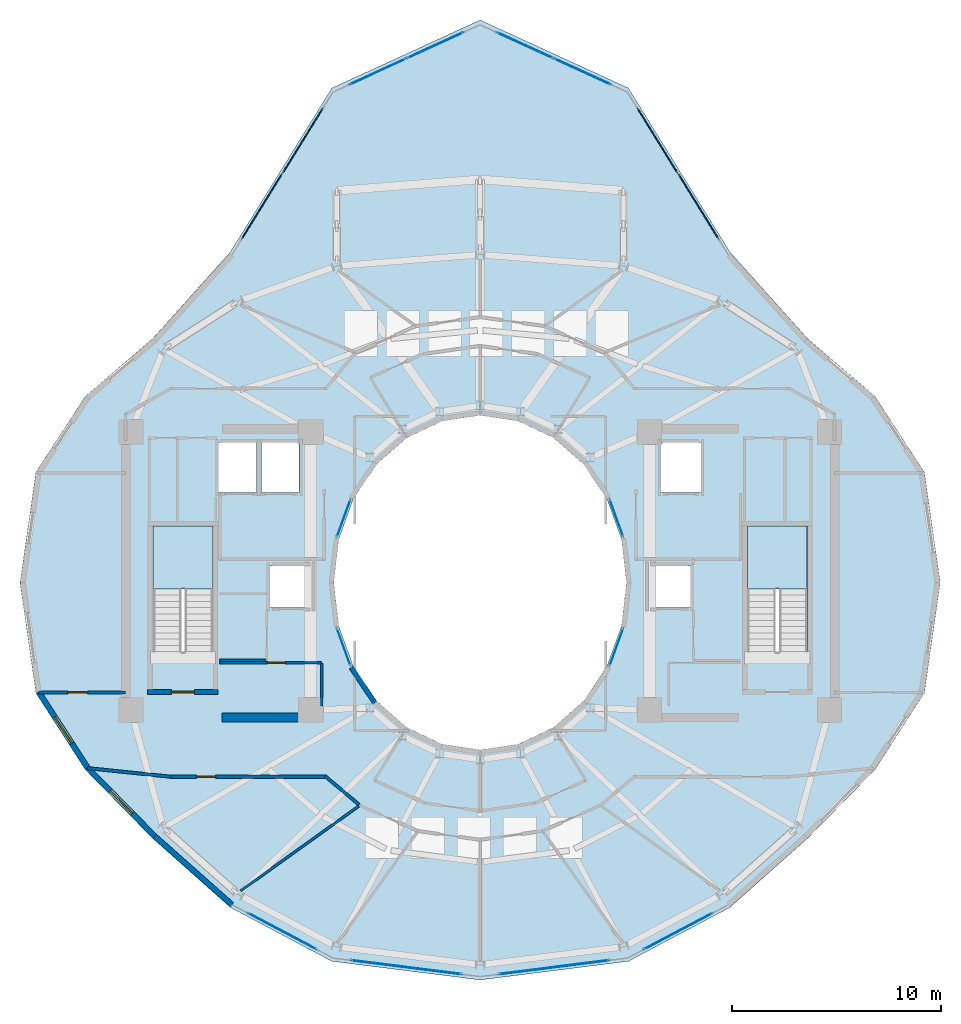
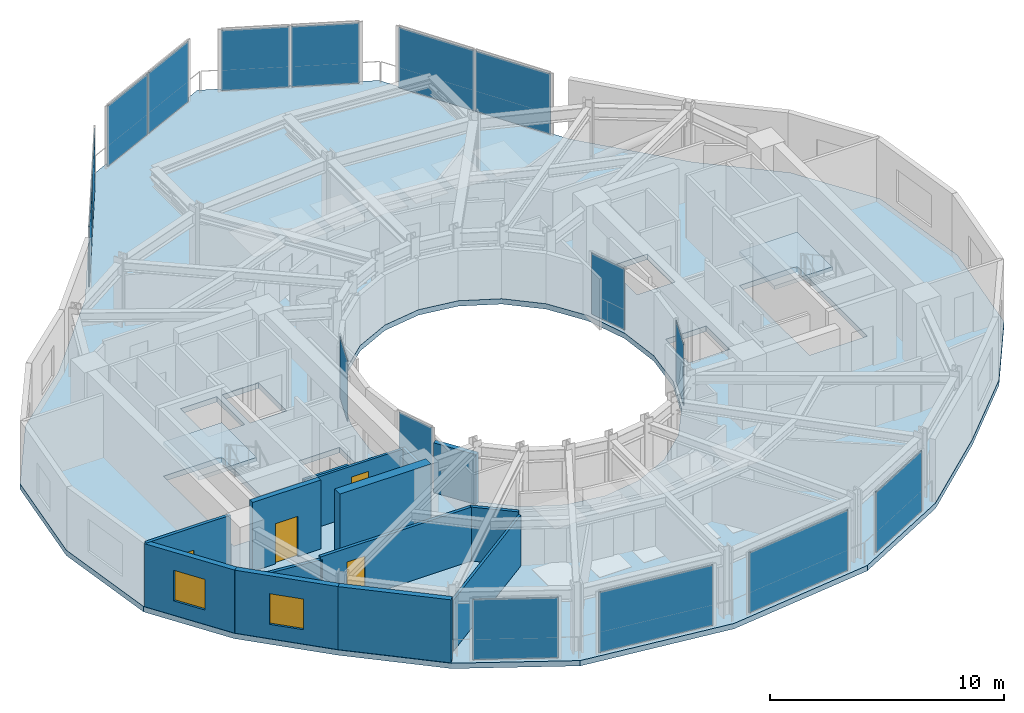
# One storey, part 17 of 24: 16 plates, 14 walls, 4 doors, 3 slabs, 2 windows, 6 openings, 14 elements without a shape of their own.
"""IFC4 building model written with IfcOpenShell, lengths in metres."""

from ifc_helpers import new_model, si_unit, direction, frame, frame_2d, origin, origin_2d, place, context, subcontext, project, spatial, polyline, rectangle, outline, extrude, material, layer, layer_set, type_object, element, fill, aggregate, save


model = new_model("IFC4")

# Units and contexts
model_context = context("Model", 3, precision=1e-05, world=origin(), true_north=direction((0.0, 1.0)))
body_context = subcontext(model_context, "Body", "Model", "MODEL_VIEW")
ifc_project = project(units=[si_unit("LENGTHUNIT", "METRE"), si_unit("AREAUNIT", "SQUARE_METRE"), si_unit("VOLUMEUNIT", "CUBIC_METRE"), si_unit("PLANEANGLEUNIT", "RADIAN"), si_unit("MASSUNIT", "GRAM", prefix="KILO")], contexts=[model_context])

# Site, building, storey
site_placement = place(None, origin())
site = spatial("IfcSite", under=ifc_project, at=site_placement, CompositionType="ELEMENT")
building_placement = place(site_placement, origin())
building = spatial("IfcBuilding", under=site, at=building_placement, Name="Solvane Sanctuary Tower", CompositionType="ELEMENT")
storey_placement = place(building_placement, frame((0.0, 0.0, 246.0)))
storey = spatial("IfcBuildingStorey", under=building, at=storey_placement, Name="L75", CompositionType="ELEMENT", Elevation=246.0)

# Curtain wall, plates
ifc_material_1 = material(Name="Anodised Aluminium 6063-T6", Category="aluminium")
ifc_layer_1 = layer(ifc_material_1, 0.18994140625, Name="Anodised Aluminium 6063-T6")
ifc_layer_set_1 = layer_set([ifc_layer_1], Name="Anodised Aluminium 6063-T6")
curtain_wall_type_1 = type_object("IfcCurtainWallType", Name="Curtain Wall CW-OPER", PredefinedType="NOTDEFINED", material=ifc_layer_set_1)
curtain_wall_1_placement = place(storey_placement, origin())
curtain_wall_1 = element("IfcCurtainWall", 1, at=curtain_wall_1_placement, inside=storey, type_object=curtain_wall_type_1, Name="L75 CW-OPER Facade Run 04", PredefinedType="NOTDEFINED")
ifc_material_2 = material(Name="Dark Ceramic-Fritted Low-E Glass", Category="glass")
ifc_layer_2 = layer(ifc_material_2, 0.0419921875, Name="Dark Ceramic-Fritted Low-E Glass")
ifc_layer_set_2 = layer_set([ifc_layer_2], Name="Dark Ceramic-Fritted Low-E Glass")
plate_type_1 = type_object("IfcPlateType", Name="Plate PN-OPER-VENT", PredefinedType="CURTAIN_PANEL", material=ifc_layer_set_2)
plate_1_placement = place(storey_placement, frame((42.437255859375, 40.978515625, 0.06494140625), z_axis=(0.0, 0.0, 1.0), x_axis=(-0.527391688453, 0.849622273102, 0.0)))
plate_1 = element("IfcPlate", 2, at=plate_1_placement, type_object=plate_type_1, Name="CW-OPER panel 1.1", PredefinedType="CURTAIN_PANEL", context=body_context, shape_type="SweptSolid", body=[
    extrude(rectangle(XDim=3.643798828125, YDim=0.0419921875, at=origin_2d()), origin(), (0.0, 0.0, 1.0), 3.14990234375),
])
plate_2_placement = place(storey_placement, frame((40.475830078125, 44.137939453125, 0.06494140625), z_axis=(0.0, 0.0, 1.0), x_axis=(-0.527391688453, 0.849622273102, 0.0)))
plate_2 = element("IfcPlate", 3, at=plate_2_placement, type_object=plate_type_1, Name="CW-OPER panel 2.1", PredefinedType="CURTAIN_PANEL", context=body_context, shape_type="SweptSolid", body=[
    extrude(rectangle(XDim=3.643798828125, YDim=0.0419921875, at=origin_2d()), origin(), (0.0, 0.0, 1.0), 3.14990234375),
])
aggregate(curtain_wall_1, [plate_1, plate_2])

curtain_wall_2_placement = place(storey_placement, origin())
curtain_wall_2 = element("IfcCurtainWall", 4, at=curtain_wall_2_placement, inside=storey, type_object=curtain_wall_type_1, Name="L75 CW-OPER Facade Run 05", PredefinedType="NOTDEFINED")
plate_3_placement = place(storey_placement, frame((36.892333984375, 47.430908203125, 0.06494140625), z_axis=(0.0, 0.0, 1.0), x_axis=(-0.909261677661, 0.416224941032, 0.0)))
plate_3 = element("IfcPlate", 5, at=plate_3_placement, type_object=plate_type_1, Name="CW-OPER panel 1.1", PredefinedType="CURTAIN_PANEL", context=body_context, shape_type="SweptSolid", body=[
    extrude(rectangle(XDim=2.9404296875, YDim=0.0419921875, at=origin_2d()), origin(), (0.0, 0.0, 1.0), 3.14990234375),
])
plate_4_placement = place(storey_placement, frame((34.150634765625, 48.68603515625, 0.06494140625), z_axis=(0.0, 0.0, 1.0), x_axis=(-0.909261677661, 0.416224941032, 0.0)))
plate_4 = element("IfcPlate", 6, at=plate_4_placement, type_object=plate_type_1, Name="CW-OPER panel 2.1", PredefinedType="CURTAIN_PANEL", context=body_context, shape_type="SweptSolid", body=[
    extrude(rectangle(XDim=2.9404296875, YDim=0.0419921875, at=origin_2d()), origin(), (0.0, 0.0, 1.0), 3.14990234375),
])
aggregate(curtain_wall_2, [plate_3, plate_4])

curtain_wall_3_placement = place(storey_placement, origin())
curtain_wall_3 = element("IfcCurtainWall", 7, at=curtain_wall_3_placement, inside=storey, type_object=curtain_wall_type_1, Name="L75 CW-OPER Facade Run 06", PredefinedType="NOTDEFINED")
plate_5_placement = place(storey_placement, frame((29.849365234375, 48.68603515625, 0.06494140625), z_axis=(0.0, 0.0, 1.0), x_axis=(-0.909261677661, -0.416224941032, 0.0)))
plate_5 = element("IfcPlate", 8, at=plate_5_placement, type_object=plate_type_1, Name="CW-OPER panel 1.1", PredefinedType="CURTAIN_PANEL", context=body_context, shape_type="SweptSolid", body=[
    extrude(rectangle(XDim=2.9404296875, YDim=0.0419921875, at=origin_2d()), origin(), (0.0, 0.0, 1.0), 3.14990234375),
])
plate_6_placement = place(storey_placement, frame((27.107666015625, 47.430908203125, 0.06494140625), z_axis=(0.0, 0.0, 1.0), x_axis=(-0.909261677661, -0.416224941032, 0.0)))
plate_6 = element("IfcPlate", 9, at=plate_6_placement, type_object=plate_type_1, Name="CW-OPER panel 2.1", PredefinedType="CURTAIN_PANEL", context=body_context, shape_type="SweptSolid", body=[
    extrude(rectangle(XDim=2.9404296875, YDim=0.0419921875, at=origin_2d()), origin(), (0.0, 0.0, 1.0), 3.14990234375),
])
aggregate(curtain_wall_3, [plate_5, plate_6])

curtain_wall_4_placement = place(storey_placement, origin())
curtain_wall_4 = element("IfcCurtainWall", 10, at=curtain_wall_4_placement, inside=storey, type_object=curtain_wall_type_1, Name="L75 CW-OPER Facade Run 07", PredefinedType="NOTDEFINED")
plate_7_placement = place(storey_placement, frame((23.524169921875, 44.137939453125, 0.06494140625), z_axis=(0.0, 0.0, 1.0), x_axis=(-0.527391688453, -0.849622273102, 0.0)))
plate_7 = element("IfcPlate", 11, at=plate_7_placement, type_object=plate_type_1, Name="CW-OPER panel 1.1", PredefinedType="CURTAIN_PANEL", context=body_context, shape_type="SweptSolid", body=[
    extrude(rectangle(XDim=3.643798828125, YDim=0.0419921875, at=origin_2d()), origin(), (0.0, 0.0, 1.0), 3.14990234375),
])
plate_8_placement = place(storey_placement, frame((21.562744140625, 40.978515625, 0.06494140625), z_axis=(0.0, 0.0, 1.0), x_axis=(-0.527391688453, -0.849622273102, 0.0)))
plate_8 = element("IfcPlate", 12, at=plate_8_placement, type_object=plate_type_1, Name="CW-OPER panel 2.1", PredefinedType="CURTAIN_PANEL", context=body_context, shape_type="SweptSolid", body=[
    extrude(rectangle(XDim=3.643798828125, YDim=0.0419921875, at=origin_2d()), origin(), (0.0, 0.0, 1.0), 3.14990234375),
])
aggregate(curtain_wall_4, [plate_7, plate_8])

# Curtain wall, plate
curtain_wall_5_placement = place(storey_placement, origin())
curtain_wall_5 = element("IfcCurtainWall", 13, at=curtain_wall_5_placement, inside=storey, type_object=curtain_wall_type_1, Name="L75 CW-OPER Facade Run 16", PredefinedType="NOTDEFINED")
plate_9_placement = place(storey_placement, frame((22.54345703125, 6.324462890625, 0.06494140625), z_axis=(0.0, 0.0, 1.0), x_axis=(0.883980752049, -0.467523293544, 0.0)))
plate_9 = element("IfcPlate", 14, at=plate_9_placement, type_object=plate_type_1, Name="CW-OPER panel 1.1", PredefinedType="CURTAIN_PANEL", context=body_context, shape_type="SweptSolid", body=[
    extrude(rectangle(XDim=3.670654296875, YDim=0.0419921875, at=origin_2d()), origin(), (0.0, 0.0, 1.0), 3.14990234375),
])
aggregate(curtain_wall_5, [plate_9])

curtain_wall_6_placement = place(storey_placement, origin())
curtain_wall_6 = element("IfcCurtainWall", 15, at=curtain_wall_6_placement, inside=storey, type_object=curtain_wall_type_1, Name="L75 CW-OPER Facade Run 17", PredefinedType="NOTDEFINED")
plate_10_placement = place(storey_placement, frame((28.478515625, 4.605224609375, 0.06494140625), z_axis=(0.0, 0.0, 1.0), x_axis=(0.992180050716, -0.124814850727, 0.0)))
plate_10 = element("IfcPlate", 16, at=plate_10_placement, type_object=plate_type_1, Name="CW-OPER panel 1.1", PredefinedType="CURTAIN_PANEL", context=body_context, shape_type="SweptSolid", body=[
    extrude(rectangle(XDim=5.30859375, YDim=0.0419921875, at=origin_2d()), origin(), (0.0, 0.0, 1.0), 3.14990234375),
])
aggregate(curtain_wall_6, [plate_10])

curtain_wall_7_placement = place(storey_placement, origin())
curtain_wall_7 = element("IfcCurtainWall", 17, at=curtain_wall_7_placement, inside=storey, type_object=curtain_wall_type_1, Name="L75 CW-OPER Facade Run 18", PredefinedType="NOTDEFINED")
plate_11_placement = place(storey_placement, frame((35.521484375, 4.605224609375, 0.06494140625), z_axis=(0.0, 0.0, 1.0), x_axis=(0.992180050716, 0.124814850727, 0.0)))
plate_11 = element("IfcPlate", 18, at=plate_11_placement, type_object=plate_type_1, Name="CW-OPER panel 1.1", PredefinedType="CURTAIN_PANEL", context=body_context, shape_type="SweptSolid", body=[
    extrude(rectangle(XDim=5.30859375, YDim=0.0419921875, at=origin_2d()), origin(), (0.0, 0.0, 1.0), 3.14990234375),
])
aggregate(curtain_wall_7, [plate_11])

curtain_wall_8_placement = place(storey_placement, origin())
curtain_wall_8 = element("IfcCurtainWall", 19, at=curtain_wall_8_placement, inside=storey, type_object=curtain_wall_type_1, Name="L75 CW-OPER Facade Run 19", PredefinedType="NOTDEFINED")
plate_12_placement = place(storey_placement, frame((41.45654296875, 6.324462890625, 0.06494140625), z_axis=(0.0, 0.0, 1.0), x_axis=(0.883980752049, 0.467523293544, 0.0)))
plate_12 = element("IfcPlate", 20, at=plate_12_placement, type_object=plate_type_1, Name="CW-OPER panel 1.1", PredefinedType="CURTAIN_PANEL", context=body_context, shape_type="SweptSolid", body=[
    extrude(rectangle(XDim=3.670654296875, YDim=0.0419921875, at=origin_2d()), origin(), (0.0, 0.0, 1.0), 3.14990234375),
])
aggregate(curtain_wall_8, [plate_12])

ifc_layer_3 = layer(ifc_material_1, 0.199951171875, Name="Anodised Aluminium 6063-T6")
ifc_layer_set_3 = layer_set([ifc_layer_3], Name="Anodised Aluminium 6063-T6")
curtain_wall_type_2 = type_object("IfcCurtainWallType", Name="Curtain Wall CW-WELL", PredefinedType="NOTDEFINED", material=ifc_layer_set_3)
curtain_wall_9_placement = place(storey_placement, origin())
curtain_wall_9 = element("IfcCurtainWall", 21, at=curtain_wall_9_placement, inside=storey, type_object=curtain_wall_type_2, Name="L75 Light-Well Glazed Curtain Wall 01", PredefinedType="NOTDEFINED")
ifc_material_3 = material(Name="Clear Laminated Light-Well Glass", Category="glass")
ifc_layer_4 = layer(ifc_material_3, 0.02392578125, Name="Clear Laminated Light-Well Glass")
ifc_layer_set_4 = layer_set([ifc_layer_4], Name="Clear Laminated Light-Well Glass")
plate_type_2 = type_object("IfcPlateType", Name="Plate PN-WELL-GLZ", PredefinedType="CURTAIN_PANEL", material=ifc_layer_set_4)
plate_13_placement = place(storey_placement, frame((38.521728515625, 26.080810546875, 0.06494140625), z_axis=(0.0, 0.0, 1.0), x_axis=(-0.341358483781, 0.939933181429, 0.0)))
plate_13 = element("IfcPlate", 22, at=plate_13_placement, type_object=plate_type_2, Name="CW-WELL panel 1.1", PredefinedType="CURTAIN_PANEL", context=body_context, shape_type="SweptSolid", body=[
    extrude(rectangle(XDim=1.853515625, YDim=0.02392578125, at=origin_2d()), origin(), (0.0, 0.0, 1.0), 3.18994140625),
])
aggregate(curtain_wall_9, [plate_13])

curtain_wall_10_placement = place(storey_placement, origin())
curtain_wall_10 = element("IfcCurtainWall", 23, at=curtain_wall_10_placement, inside=storey, type_object=curtain_wall_type_2, Name="L75 Light-Well Glazed Curtain Wall 10", PredefinedType="NOTDEFINED")
plate_14_placement = place(storey_placement, frame((25.478271484375, 26.080810546875, 0.06494140625), z_axis=(0.0, 0.0, 1.0), x_axis=(-0.341358483781, -0.939933181429, 0.0)))
plate_14 = element("IfcPlate", 24, at=plate_14_placement, type_object=plate_type_2, Name="CW-WELL panel 1.1", PredefinedType="CURTAIN_PANEL", context=body_context, shape_type="SweptSolid", body=[
    extrude(rectangle(XDim=1.853515625, YDim=0.02392578125, at=origin_2d()), origin(), (0.0, 0.0, 1.0), 3.18994140625),
])
aggregate(curtain_wall_10, [plate_14])

curtain_wall_11_placement = place(storey_placement, origin())
curtain_wall_11 = element("IfcCurtainWall", 25, at=curtain_wall_11_placement, inside=storey, type_object=curtain_wall_type_2, Name="L75 Light-Well Glazed Curtain Wall 13", PredefinedType="NOTDEFINED")
plate_15_placement = place(storey_placement, frame((25.478271484375, 19.919189453125, 0.06494140625), z_axis=(0.0, 0.0, 1.0), x_axis=(0.341358483781, -0.939933181429, 0.0)))
plate_15 = element("IfcPlate", 26, at=plate_15_placement, type_object=plate_type_2, Name="CW-WELL panel 1.1", PredefinedType="CURTAIN_PANEL", context=body_context, shape_type="SweptSolid", body=[
    extrude(rectangle(XDim=1.853515625, YDim=0.02392578125, at=origin_2d()), origin(), (0.0, 0.0, 1.0), 3.18994140625),
])
aggregate(curtain_wall_11, [plate_15])

curtain_wall_12_placement = place(storey_placement, origin())
curtain_wall_12 = element("IfcCurtainWall", 27, at=curtain_wall_12_placement, inside=storey, type_object=curtain_wall_type_2, Name="L75 Light-Well Glazed Curtain Wall 22", PredefinedType="NOTDEFINED")
plate_16_placement = place(storey_placement, frame((38.521728515625, 19.919189453125, 0.06494140625), z_axis=(0.0, 0.0, 1.0), x_axis=(0.341358483781, 0.939933181429, 0.0)))
plate_16 = element("IfcPlate", 28, at=plate_16_placement, type_object=plate_type_2, Name="CW-WELL panel 1.1", PredefinedType="CURTAIN_PANEL", context=body_context, shape_type="SweptSolid", body=[
    extrude(rectangle(XDim=1.853515625, YDim=0.02392578125, at=origin_2d()), origin(), (0.0, 0.0, 1.0), 3.18994140625),
])
aggregate(curtain_wall_12, [plate_16])

# Slab
ifc_material_4 = material(Name="Concrete C50/60", Category="concrete")
ifc_layer_5 = layer(ifc_material_4, 0.280029296875, Name="Concrete C50/60")
ifc_layer_set_5 = layer_set([ifc_layer_5], Name="Concrete C50/60")
slab_type_1 = type_object("IfcSlabType", Name="Slab SL-CANT-280", PredefinedType="FLOOR", material=ifc_layer_set_5)
slab_1_placement = place(storey_placement, frame((0.0, 0.0, -0.280029296875)))
element("IfcSlab", 29, at=slab_1_placement, inside=storey, type_object=slab_type_1, Name="L75 Primary Structural Slab", PredefinedType="FLOOR", context=body_context, shape_type="SweptSolid", body=[
    extrude(outline(polyline([(54.0, 23.0), (53.239990234375, 28.283935546875), (50.881103515625, 31.9052734375), (47.6572265625, 34.671875), (43.946044921875, 38.804931640625), (39.088134765625, 46.648193359375), (32.0, 49.89990234375), (24.911865234375, 46.648193359375), (20.053955078125, 38.804931640625), (16.3427734375, 34.671875), (13.118896484375, 31.9052734375), (10.760009765625, 28.283935546875), (10.0, 23.0), (10.760009765625, 17.716064453125), (13.118896484375, 14.056884765625), (16.3427734375, 10.7666015625), (20.053955078125, 7.46826171875), (24.911865234375, 4.8935546875), (32.0, 4.0), (39.088134765625, 4.8935546875), (43.946044921875, 7.46826171875), (47.6572265625, 10.7666015625), (50.881103515625, 14.056884765625), (53.239990234375, 17.716064453125), (54.0, 23.0)]), holes=[polyline([(38.761474609375, 20.929443359375), (38.062255859375, 19.0), (36.94970703125, 17.343017578125), (35.5, 16.07177734375), (33.811767578125, 15.272705078125), (32.0, 15.0), (30.188232421875, 15.272705078125), (28.5, 16.07177734375), (27.05029296875, 17.343017578125), (25.937744140625, 19.0), (25.238525390625, 20.929443359375), (25.0, 23.0), (25.238525390625, 25.070556640625), (25.937744140625, 27.0), (27.05029296875, 28.656982421875), (28.5, 29.92822265625), (30.188232421875, 30.727294921875), (32.0, 31.0), (33.811767578125, 30.727294921875), (35.5, 29.92822265625), (36.94970703125, 28.656982421875), (38.062255859375, 27.0), (38.761474609375, 25.070556640625), (39.0, 23.0), (38.761474609375, 20.929443359375)]), polyline([(16.360107421875, 19.699951171875), (16.360107421875, 25.699951171875), (19.219970703125, 25.699951171875), (19.219970703125, 19.699951171875), (16.360107421875, 19.699951171875)]), polyline([(44.780029296875, 19.699951171875), (44.780029296875, 25.699951171875), (47.639892578125, 25.699951171875), (47.639892578125, 19.699951171875), (44.780029296875, 19.699951171875)]), polyline([(21.949951171875, 23.800048828125), (23.949951171875, 23.800048828125), (23.949951171875, 21.800048828125), (21.949951171875, 21.800048828125), (21.949951171875, 23.800048828125)]), polyline([(40.050048828125, 23.800048828125), (42.050048828125, 23.800048828125), (42.050048828125, 21.800048828125), (40.050048828125, 21.800048828125), (40.050048828125, 23.800048828125)]), polyline([(19.5, 29.699951171875), (21.300048828125, 29.699951171875), (21.300048828125, 27.300048828125), (19.5, 27.300048828125), (19.5, 29.699951171875)]), polyline([(21.550048828125, 29.699951171875), (23.35009765625, 29.699951171875), (23.35009765625, 27.300048828125), (21.550048828125, 27.300048828125), (21.550048828125, 29.699951171875)]), polyline([(40.64990234375, 29.699951171875), (42.550048828125, 29.699951171875), (42.550048828125, 27.300048828125), (40.64990234375, 27.300048828125), (40.64990234375, 29.699951171875)])]), origin(), (0.0, 0.0, 1.0), 0.280029296875),
])

# Stair, slab
ifc_material_5 = material(Name="Concrete C45/55", Category="concrete")
stair_type = type_object("IfcStairType", Name="Stair ST-TOW", PredefinedType="HALF_TURN_STAIR", material=ifc_material_5)
stair_1_placement = place(storey_placement, origin())
stair_1 = element("IfcStair", 30, at=stair_1_placement, inside=storey, type_object=stair_type, Name="L75 Exit Stair ST-1 West Core", PredefinedType="HALF_TURN_STAIR")
ifc_layer_6 = layer(ifc_material_5, 0.199951171875, Name="Concrete C45/55")
ifc_layer_set_6 = layer_set([ifc_layer_6], Name="Concrete C45/55")
slab_type_2 = type_object("IfcSlabType", Name="Slab SL-LAND-180", PredefinedType="LANDING", material=ifc_layer_set_6)
slab_2_placement = place(storey_placement, frame((0.0, 0.0, 1.60009765625)))
slab_2 = element("IfcSlab", 31, at=slab_2_placement, type_object=slab_type_2, Name="ST-1 landing 1", PredefinedType="LANDING", context=body_context, shape_type="SweptSolid", body=[
    extrude(outline(polyline([(19.219970703125, 22.699951171875), (19.219970703125, 25.699951171875), (16.360107421875, 25.699951171875), (16.360107421875, 22.699951171875), (19.219970703125, 22.699951171875)])), origin(), (0.0, 0.0, 1.0), 0.199951171875),
])
aggregate(stair_1, [slab_2])

stair_2_placement = place(storey_placement, origin())
stair_2 = element("IfcStair", 32, at=stair_2_placement, inside=storey, type_object=stair_type, Name="L75 Exit Stair ST-2 East Core", PredefinedType="HALF_TURN_STAIR")
slab_3_placement = place(storey_placement, frame((0.0, 0.0, 1.60009765625)))
slab_3 = element("IfcSlab", 33, at=slab_3_placement, type_object=slab_type_2, Name="ST-2 landing 1", PredefinedType="LANDING", context=body_context, shape_type="SweptSolid", body=[
    extrude(outline(polyline([(47.639892578125, 22.699951171875), (47.639892578125, 25.699951171875), (44.780029296875, 25.699951171875), (44.780029296875, 22.699951171875), (47.639892578125, 22.699951171875)])), origin(), (0.0, 0.0, 1.0), 0.199951171875),
])
aggregate(stair_2, [slab_3])

# Wall
ifc_layer_7 = layer(ifc_material_4, 0.449951171875, Name="Concrete C50/60")
ifc_layer_set_7 = layer_set([ifc_layer_7], Name="Concrete C50/60")
wall_type_1 = type_object("IfcWallType", Name="Wall W-CORE-450", PredefinedType="SHEAR", material=ifc_layer_set_7)
wall_1_placement = place(storey_placement, frame((19.64990234375, 16.550048828125, 0.0), z_axis=(0.0, 0.0, 1.0), x_axis=(1.0, 0.0, 0.0)))
element("IfcWall", 34, at=wall_1_placement, inside=storey, type_object=wall_type_1, Name="L75 Core Shear Wall WC-S", PredefinedType="SHEAR", context=body_context, shape_type="SweptSolid", body=[
    extrude(rectangle(XDim=4.5, YDim=0.449951171875, at=frame_2d((2.25, 0.0))), origin(), (0.0, 0.0, 1.0), 3.60009765625),
])

# Wall, opening, door
ifc_material_6 = material(Name="Acoustic Gypsum Partition Board")
ifc_layer_8 = layer(ifc_material_6, 0.14990234375, Name="Acoustic Gypsum Partition Board")
ifc_layer_set_8 = layer_set([ifc_layer_8], Name="Acoustic Gypsum Partition Board")
wall_type_2 = type_object("IfcWallType", Name="Wall W-CORR-150", PredefinedType="PARTITIONING", material=ifc_layer_set_8)
wall_2_placement = place(storey_placement, frame((10.87548828125, 17.754638671875, 0.0), z_axis=(0.0, 0.0, 1.0), x_axis=(1.0, 0.0, 0.0)))
wall_2 = element("IfcWall", 35, at=wall_2_placement, inside=storey, type_object=wall_type_2, Name="L75 West Shoulder South Wall", PredefinedType="PARTITIONING", context=body_context, shape_type="SweptSolid", body=[
    extrude(rectangle(XDim=4.174560546875, YDim=0.14990234375, at=frame_2d((2.08740234375, 0.0))), origin(), (0.0, 0.0, 1.0), 3.294921875),
])
opening_1_placement = place(wall_2_placement, frame((1.407470703125, 0.0, 0.0)))
opening_1 = element("IfcOpeningElement", 36, at=opening_1_placement, cuts=wall_2, Name="Opening D-L75-18", PredefinedType="OPENING", context=body_context, shape_type="SweptSolid", body=[
    extrude(rectangle(XDim=0.949951171875, YDim=2.10009765625, at=frame_2d((0.47509765625, 1.050048828125))), frame((0.0, 0.0849609375, 0.0), z_axis=(0.0, -1.0, 0.0), x_axis=(1.0, 0.0, 0.0)), (0.0, 0.0, 1.0), 0.169921875),
])
ifc_material_7 = material(Name="Engineered Tropical Hardwood", Category="wood")
door_type_1 = type_object("IfcDoorType", Name="Door D-ROOM-950", OperationType="NOTDEFINED", PredefinedType="DOOR", material=ifc_material_7)
door_1_placement = place(opening_1_placement, origin())
door_1 = element("IfcDoor", 37, at=door_1_placement, inside=storey, type_object=door_type_1, Name="L75 West Shoulder South Door", OperationType="SINGLE_SWING_LEFT", OverallHeight=2.10009765625, OverallWidth=0.949951171875, PredefinedType="DOOR", context=body_context, shape_type="SweptSolid", body=[
    extrude(rectangle(XDim=0.949951171875, YDim=2.10009765625, at=frame_2d((0.47509765625, 1.050048828125))), frame((0.0, 0.02490234375, 0.0), z_axis=(0.0, -1.0, 0.0), x_axis=(1.0, 0.0, 0.0)), (0.0, 0.0, 1.0), 0.050048828125),
])
fill(opening_1, door_1)

# Wall
wall_3_placement = place(storey_placement, frame((26.208984375, 12.385009765625, 0.0), z_axis=(0.0, 0.0, 1.0), x_axis=(-0.765677451641, 0.643224719711, 0.0)))
element("IfcWall", 38, at=wall_3_placement, inside=storey, type_object=wall_type_2, Name="L75 SW Corner Throat Wall", PredefinedType="PARTITIONING", context=body_context, shape_type="SweptSolid", body=[
    extrude(rectangle(XDim=2.10546875, YDim=0.14990234375, at=frame_2d((1.052734375, 0.0))), origin(), (0.0, 0.0, 1.0), 2.81591796875),
])

# Wall, opening, door
wall_4_placement = place(storey_placement, frame((17.14990234375, 13.719970703125, 0.0), z_axis=(0.0, 0.0, 1.0), x_axis=(1.0, 0.0, 0.0)))
wall_4 = element("IfcWall", 39, at=wall_4_placement, inside=storey, type_object=wall_type_2, Name="L75 SW Corner Corridor Wall", PredefinedType="PARTITIONING", context=body_context, shape_type="SweptSolid", body=[
    extrude(rectangle(XDim=7.52001953125, YDim=0.14990234375, at=frame_2d((3.760009765625, 0.0))), origin(), (0.0, 0.0, 1.0), 2.81591796875),
])
opening_2_placement = place(wall_4_placement, frame((1.300048828125, 0.0, 0.0)))
opening_2 = element("IfcOpeningElement", 40, at=opening_2_placement, cuts=wall_4, Name="Opening D-L75-21", PredefinedType="OPENING", context=body_context, shape_type="SweptSolid", body=[
    extrude(rectangle(XDim=0.89990234375, YDim=2.10009765625, at=frame_2d((0.449951171875, 1.050048828125))), frame((0.0, 0.0849609375, 0.0), z_axis=(0.0, -1.0, 0.0), x_axis=(1.0, 0.0, 0.0)), (0.0, 0.0, 1.0), 0.169921875),
])
door_type_2 = type_object("IfcDoorType", Name="Door D-WET-900", OperationType="NOTDEFINED", PredefinedType="DOOR", material=ifc_material_7)
door_2_placement = place(opening_2_placement, origin())
door_2 = element("IfcDoor", 41, at=door_2_placement, inside=storey, type_object=door_type_2, Name="L75 SW Corner Salon Door", OperationType="SINGLE_SWING_RIGHT", OverallHeight=2.10009765625, OverallWidth=0.89990234375, PredefinedType="DOOR", context=body_context, shape_type="SweptSolid", body=[
    extrude(rectangle(XDim=0.89990234375, YDim=2.10009765625, at=frame_2d((0.449951171875, 1.050048828125))), frame((0.0, 0.02490234375, 0.0), z_axis=(0.0, -1.0, 0.0), x_axis=(1.0, 0.0, 0.0)), (0.0, 0.0, 1.0), 0.050048828125),
])
fill(opening_2, door_2)

# Wall
wall_5_placement = place(storey_placement, frame((17.249755859375, 13.71484375, 0.0), z_axis=(0.0, 0.0, 1.0), x_axis=(-0.994734711466, 0.102483431859, 0.0)))
element("IfcWall", 42, at=wall_5_placement, inside=storey, type_object=wall_type_2, Name="L75 SW Corner Wing Wall", PredefinedType="PARTITIONING", context=body_context, shape_type="SweptSolid", body=[
    extrude(rectangle(XDim=4.04736328125, YDim=0.14990234375, at=frame_2d((2.023681640625, 0.0))), origin(), (0.0, 0.0, 1.0), 2.659912109375),
])

# Wall, opening, window
ifc_material_8 = material(Name="Precast concrete C40/50", Category="concrete")
ifc_layer_9 = layer(ifc_material_8, 0.260009765625, Name="Precast concrete C40/50")
ifc_layer_set_9 = layer_set([ifc_layer_9], Name="Precast concrete C40/50")
wall_type_3 = type_object("IfcWallType", Name="Wall W-EXT-250", PredefinedType="STANDARD", material=ifc_layer_set_9)
wall_6_placement = place(storey_placement, frame((10.895263671875, 17.76123046875, 0.0), z_axis=(0.0, 0.0, 1.0), x_axis=(0.542641766008, -0.839964233634, 0.0)))
wall_6 = element("IfcWall", 43, at=wall_6_placement, inside=storey, type_object=wall_type_3, Name="L75 Ceramic-Printed Facade Wall 13", PredefinedType="STANDARD", context=body_context, shape_type="SweptSolid", body=[
    extrude(rectangle(XDim=4.319091796875, YDim=0.260009765625, at=frame_2d((2.15966796875, 0.0))), origin(), (0.0, 0.0, 1.0), 3.2900390625),
])
opening_3_placement = place(wall_6_placement, frame((1.40966796875, 0.0, 0.75)))
opening_3 = element("IfcOpeningElement", 44, at=opening_3_placement, cuts=wall_6, Name="Opening WN-OPER-1500", PredefinedType="OPENING", context=body_context, shape_type="SweptSolid", body=[
    extrude(rectangle(XDim=1.5, YDim=1.60009765625, at=frame_2d((0.75, 0.800048828125))), frame((0.0, 0.139892578125, 0.0), z_axis=(0.0, -1.0, 0.0), x_axis=(1.0, 0.0, 0.0)), (0.0, 0.0, 1.0), 0.280029296875),
])
window_type = type_object("IfcWindowType", Name="Window WN-OPER-1500", PartitioningType="SINGLE_PANEL", PredefinedType="WINDOW", material=ifc_material_2)
window_1_placement = place(opening_3_placement, origin())
window_1 = element("IfcWindow", 45, at=window_1_placement, inside=storey, type_object=window_type, Name="L75 Operable Facade Window 13", OverallHeight=1.60009765625, OverallWidth=1.5, PartitioningType="SINGLE_PANEL", PredefinedType="WINDOW", context=body_context, shape_type="SweptSolid", body=[
    extrude(rectangle(XDim=1.5, YDim=1.60009765625, at=frame_2d((0.75, 0.800048828125))), frame((0.0, 0.030029296875, 0.0), z_axis=(0.0, -1.0, 0.0), x_axis=(1.0, 0.0, 0.0)), (0.0, 0.0, 1.0), 0.06005859375),
])
fill(opening_3, window_1)

wall_7_placement = place(storey_placement, frame((13.239013671875, 14.13330078125, 0.0), z_axis=(0.0, 0.0, 1.0), x_axis=(0.700642973333, -0.713512034881, 0.0)))
wall_7 = element("IfcWall", 46, at=wall_7_placement, inside=storey, type_object=wall_type_3, Name="L75 Ceramic-Printed Facade Wall 14", PredefinedType="STANDARD", context=body_context, shape_type="SweptSolid", body=[
    extrude(rectangle(XDim=4.572021484375, YDim=0.260009765625, at=frame_2d((2.2861328125, 0.0))), origin(), (0.0, 0.0, 1.0), 3.2900390625),
])
opening_4_placement = place(wall_7_placement, frame((1.535888671875, 0.0, 0.75)))
opening_4 = element("IfcOpeningElement", 47, at=opening_4_placement, cuts=wall_7, Name="Opening WN-OPER-1500", PredefinedType="OPENING", context=body_context, shape_type="SweptSolid", body=[
    extrude(rectangle(XDim=1.5, YDim=1.60009765625, at=frame_2d((0.75, 0.800048828125))), frame((0.0, 0.139892578125, 0.0), z_axis=(0.0, -1.0, 0.0), x_axis=(1.0, 0.0, 0.0)), (0.0, 0.0, 1.0), 0.280029296875),
])
window_2_placement = place(opening_4_placement, origin())
window_2 = element("IfcWindow", 48, at=window_2_placement, inside=storey, type_object=window_type, Name="L75 Operable Facade Window 14", OverallHeight=1.60009765625, OverallWidth=1.5, PartitioningType="SINGLE_PANEL", PredefinedType="WINDOW", context=body_context, shape_type="SweptSolid", body=[
    extrude(rectangle(XDim=1.5, YDim=1.60009765625, at=frame_2d((0.75, 0.800048828125))), frame((0.0, 0.030029296875, 0.0), z_axis=(0.0, -1.0, 0.0), x_axis=(1.0, 0.0, 0.0)), (0.0, 0.0, 1.0), 0.06005859375),
])
fill(opening_4, window_2)

# Walls
wall_8_placement = place(storey_placement, frame((16.4423828125, 10.87109375, 0.0), z_axis=(0.0, 0.0, 1.0), x_axis=(0.748165854006, -0.663511759428, 0.0)))
element("IfcWall", 49, at=wall_8_placement, inside=storey, type_object=wall_type_3, Name="L75 Ceramic-Printed Facade Wall 15", PredefinedType="STANDARD", context=body_context, shape_type="SweptSolid", body=[
    extrude(rectangle(XDim=4.9287109375, YDim=0.260009765625, at=frame_2d((2.46435546875, 0.0))), origin(), (0.0, 0.0, 1.0), 3.2900390625),
])
ifc_layer_10 = layer(ifc_material_8, 0.22998046875, Name="Precast concrete C40/50")
ifc_layer_set_10 = layer_set([ifc_layer_10], Name="Precast concrete C40/50")
wall_type_4 = type_object("IfcWallType", Name="Wall W-EXT-SP220", PredefinedType="STANDARD", material=ifc_layer_set_10)
wall_9_placement = place(storey_placement, frame((25.833984375, 18.93994140625, 0.0), z_axis=(0.0, 0.0, 1.0), x_axis=(0.558197800898, -0.829707909492, 0.0)))
element("IfcWall", 50, at=wall_9_placement, inside=storey, type_object=wall_type_4, Name="L75 Central Light-Well Wall 14", PredefinedType="STANDARD", context=body_context, shape_type="SweptSolid", body=[
    extrude(rectangle(XDim=2.02685546875, YDim=0.22998046875, at=frame_2d((1.013427734375, 0.0))), origin(), (0.0, 0.0, 1.0), 2.60009765625),
])
ifc_layer_11 = layer(ifc_material_6, 0.1201171875, Name="Acoustic Gypsum Partition Board")
ifc_layer_set_11 = layer_set([ifc_layer_11], Name="Acoustic Gypsum Partition Board")
wall_type_5 = type_object("IfcWallType", Name="Wall W-MOV-100", PredefinedType="MOVABLE", material=ifc_layer_set_11)
wall_10_placement = place(storey_placement, frame((26.206298828125, 12.317626953125, 0.0), z_axis=(0.0, 0.0, 1.0), x_axis=(-0.812763742602, -0.582593424879, 0.0)))
element("IfcWall", 51, at=wall_10_placement, inside=storey, type_object=wall_type_5, Name="L75 Sky Hall Radial Partition 240", PredefinedType="MOVABLE", context=body_context, shape_type="SweptSolid", body=[
    extrude(rectangle(XDim=6.965576171875, YDim=0.1201171875, at=frame_2d((3.48291015625, 0.0))), origin(), (0.0, 0.0, 1.0), 2.659912109375),
])

# Wall, opening, door
ifc_layer_12 = layer(ifc_material_6, 0.125, Name="Acoustic Gypsum Partition Board")
ifc_layer_set_12 = layer_set([ifc_layer_12], Name="Acoustic Gypsum Partition Board")
wall_type_6 = type_object("IfcWallType", Name="Wall W-PART-125", PredefinedType="PARTITIONING", material=ifc_layer_set_12)
wall_11_placement = place(storey_placement, frame((19.550048828125, 19.159912109375, 0.0), z_axis=(0.0, 0.0, 1.0), x_axis=(1.0, 0.0, 0.0)))
wall_11 = element("IfcWall", 52, at=wall_11_placement, inside=storey, type_object=wall_type_6, Name="L75 Reclaimed Room Partition PLW", PredefinedType="PARTITIONING", context=body_context, shape_type="SweptSolid", body=[
    extrude(rectangle(XDim=4.869873046875, YDim=0.125, at=frame_2d((2.43505859375, 0.0))), origin(), (0.0, 0.0, 1.0), 2.6201171875),
])
opening_5_placement = place(wall_11_placement, frame((2.271728515625, 0.0, 0.0)))
opening_5 = element("IfcOpeningElement", 53, at=opening_5_placement, cuts=wall_11, Name="Opening D-L75-05", PredefinedType="OPENING", context=body_context, shape_type="SweptSolid", body=[
    extrude(rectangle(XDim=0.85009765625, YDim=2.050048828125, at=frame_2d((0.425048828125, 1.02490234375))), frame((0.0, 0.072509765625, 0.0), z_axis=(0.0, -1.0, 0.0), x_axis=(1.0, 0.0, 0.0)), (0.0, 0.0, 1.0), 0.14501953125),
])
ifc_material_9 = material(Name="Architectural Stainless Steel 316", Category="steel")
door_type_3 = type_object("IfcDoorType", Name="Door D-RISER", OperationType="NOTDEFINED", PredefinedType="DOOR", material=ifc_material_9)
door_3_placement = place(opening_5_placement, origin())
door_3 = element("IfcDoor", 54, at=door_3_placement, inside=storey, type_object=door_type_3, Name="L75 Reclaimed Room Door PLW-1", OperationType="SINGLE_SWING_RIGHT", OverallHeight=2.050048828125, OverallWidth=0.85009765625, PredefinedType="DOOR", context=body_context, shape_type="SweptSolid", body=[
    extrude(rectangle(XDim=0.85009765625, YDim=2.050048828125, at=frame_2d((0.425048828125, 1.02490234375))), frame((0.0, 0.02490234375, 0.0), z_axis=(0.0, -1.0, 0.0), x_axis=(1.0, 0.0, 0.0)), (0.0, 0.0, 1.0), 0.050048828125),
])
fill(opening_5, door_3)

# Walls
wall_12_placement = place(storey_placement, frame((24.419921875, 17.10009765625, 0.0), z_axis=(0.0, 0.0, 1.0), x_axis=(0.0, 1.0, 0.0)))
element("IfcWall", 55, at=wall_12_placement, inside=storey, type_object=wall_type_6, Name="L75 Reclaimed Room Closer Wall PLW-1", PredefinedType="PARTITIONING", context=body_context, shape_type="SweptSolid", body=[
    extrude(rectangle(XDim=2.039794921875, YDim=0.125, at=frame_2d((1.02001953125, 0.0))), origin(), (0.0, 0.0, 1.0), 2.672119140625),
])
wall_13_placement = place(storey_placement, frame((19.550048828125, 19.280029296875, 0.0), z_axis=(0.0, 0.0, 1.0), x_axis=(1.0, 0.0, 0.0)))
element("IfcWall", 56, at=wall_13_placement, inside=storey, type_object=wall_type_6, Name="L75 Reclaimed Room Closer Wall PMW-1", PredefinedType="PARTITIONING", context=body_context, shape_type="SweptSolid", body=[
    extrude(rectangle(XDim=2.2099609375, YDim=0.125, at=frame_2d((1.10498046875, 0.0))), origin(), (0.0, 0.0, 1.0), 2.6201171875),
])

# Wall, opening, door
ifc_layer_13 = layer(ifc_material_4, 0.25, Name="Concrete C50/60")
ifc_layer_set_13 = layer_set([ifc_layer_13], Name="Concrete C50/60")
wall_type_7 = type_object("IfcWallType", Name="Wall W-SHAFT-250", PredefinedType="SOLIDWALL", material=ifc_layer_set_13)
wall_14_placement = place(storey_placement, frame((16.10498046875, 17.77001953125, 0.0), z_axis=(0.0, 0.0, 1.0), x_axis=(1.0, 0.0, 0.0)))
wall_14 = element("IfcWall", 57, at=wall_14_placement, inside=storey, type_object=wall_type_7, Name="L75 ST-1 Load-Bearing Shaft Wall S", PredefinedType="SOLIDWALL", context=body_context, shape_type="SweptSolid", body=[
    extrude(rectangle(XDim=3.3701171875, YDim=0.25, at=frame_2d((1.68505859375, 0.0))), origin(), (0.0, 0.0, 1.0), 3.60009765625),
])
opening_6_placement = place(wall_14_placement, frame((1.135009765625, 0.0, 0.0)))
opening_6 = element("IfcOpeningElement", 58, at=opening_6_placement, cuts=wall_14, Name="Opening D-L75-01", PredefinedType="OPENING", context=body_context, shape_type="SweptSolid", body=[
    extrude(rectangle(XDim=1.10009765625, YDim=2.10009765625, at=frame_2d((0.550048828125, 1.050048828125))), frame((0.0, 0.135009765625, 0.0), z_axis=(0.0, -1.0, 0.0), x_axis=(1.0, 0.0, 0.0)), (0.0, 0.0, 1.0), 0.27001953125),
])
door_type_4 = type_object("IfcDoorType", Name="Door D-STAIR", OperationType="NOTDEFINED", PredefinedType="DOOR", material=ifc_material_9)
door_4_placement = place(opening_6_placement, origin())
door_4 = element("IfcDoor", 59, at=door_4_placement, inside=storey, type_object=door_type_4, Name="L75 ST-1 Exit Stair Fire Door", OperationType="SINGLE_SWING_LEFT", OverallHeight=2.10009765625, OverallWidth=1.10009765625, PredefinedType="DOOR", context=body_context, shape_type="SweptSolid", body=[
    extrude(rectangle(XDim=1.10009765625, YDim=2.10009765625, at=frame_2d((0.550048828125, 1.050048828125))), frame((0.0, 0.02490234375, 0.0), z_axis=(0.0, -1.0, 0.0), x_axis=(1.0, 0.0, 0.0)), (0.0, 0.0, 1.0), 0.050048828125),
])
fill(opening_6, door_4)

save(model, "model.ifc")
